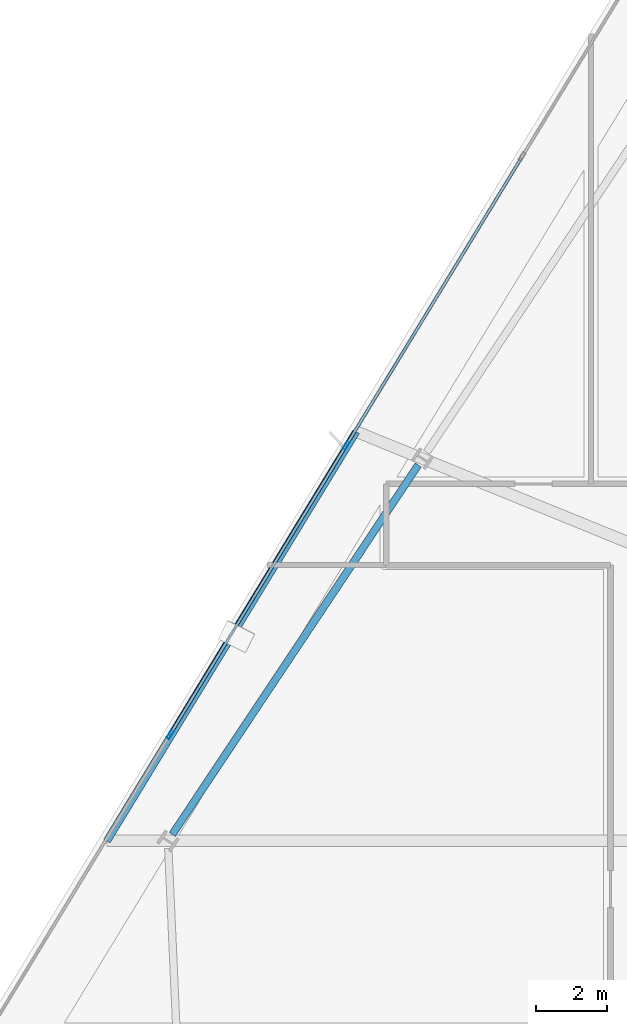
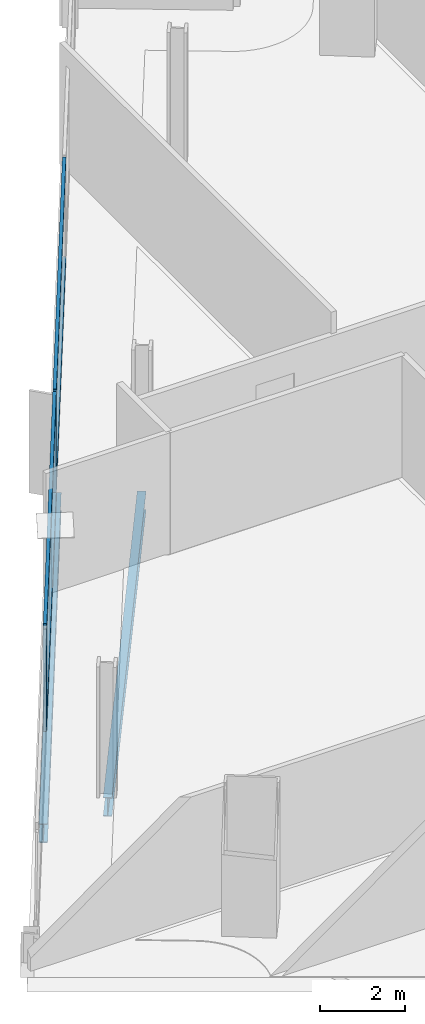
# One storey, part 13 of 28: 6 members, 2 beams, 1 element without a shape of its own.
"""IFC4 building model written with IfcOpenShell, lengths in metres."""

from ifc_helpers import new_model, si_unit, direction, frame, origin, origin_2d, place, context, subcontext, project, spatial, hollow_rectangle, i_section, extrude, material, material_profile, profile_set, type_object, element, aggregate, save


model = new_model("IFC4")

# Units and contexts
model_context = context("Model", 3, precision=1e-05, world=origin(), true_north=direction((0.0, 1.0)))
body_context = subcontext(model_context, "Body", "Model", "MODEL_VIEW")
ifc_project = project(units=[si_unit("LENGTHUNIT", "METRE"), si_unit("AREAUNIT", "SQUARE_METRE"), si_unit("VOLUMEUNIT", "CUBIC_METRE"), si_unit("PLANEANGLEUNIT", "RADIAN"), si_unit("MASSUNIT", "GRAM", prefix="KILO")], contexts=[model_context])

# Site, building, storey
site_placement = place(None, origin())
site = spatial("IfcSite", under=ifc_project, at=site_placement, CompositionType="ELEMENT")
building_placement = place(site_placement, origin())
building = spatial("IfcBuilding", under=site, at=building_placement, Name="Haldenkirk Collegiate Tower", CompositionType="ELEMENT")
storey_placement = place(building_placement, frame((0.0, 0.0, 224.699951171875)))
storey = spatial("IfcBuildingStorey", under=building, at=storey_placement, Name="L56", CompositionType="ELEMENT", Elevation=224.699951171875)

# Beams
ifc_material_1 = material(Name="Steel ASTM A992 Grade 50", Category="steel")
ifc_material_profile_1 = material_profile(ifc_material_1, i_section(OverallWidth=0.2099609375, OverallDepth=0.537109375, WebThickness=0.010986328125, FlangeThickness=0.017333984375, at=origin_2d()), Name="W21X68")
ifc_profile_set_1 = profile_set([ifc_material_profile_1], Name="Steel ASTM A992 Grade 50")
beam_type = type_object("IfcBeamType", Name="BM-SPANDREL-W21X68", PredefinedType="SPANDREL", material=ifc_profile_set_1)
beam_1_placement = place(storey_placement, frame((19.106201171875, 36.98486328125, -0.54833984375), z_axis=(-0.554117024454, -0.832438780458, 0.0), x_axis=(0.832438780458, -0.554117024454, 0.0)))
element("IfcBeam", 1, at=beam_1_placement, inside=storey, type_object=beam_type, Name="L56 perimeter spandrel beam 11", PredefinedType="SPANDREL", context=body_context, shape_type="SweptSolid", body=[
    extrude(i_section(OverallWidth=0.2099609375, OverallDepth=0.537109375, WebThickness=0.010986328125, FlangeThickness=0.017333984375, at=origin_2d()), origin(), (0.0, 0.0, 1.0), 12.562255859375),
])
beam_2_placement = place(storey_placement, frame((17.353515625, 37.92822265625, -0.54833984375), z_axis=(-0.520261039295, -0.854007289777, 0.0), x_axis=(0.854007289777, -0.520261039295, 0.0)))
element("IfcBeam", 2, at=beam_2_placement, inside=storey, type_object=beam_type, Name="L56 outer facade edge beam 3", PredefinedType="SPANDREL", context=body_context, shape_type="SweptSolid", body=[
    extrude(i_section(OverallWidth=0.2099609375, OverallDepth=0.537109375, WebThickness=0.010986328125, FlangeThickness=0.017333984375, at=origin_2d()), origin(), (0.0, 0.0, 1.0), 13.560791015625),
])

# Curtain wall, members
ifc_material_2 = material(Name="Anodised architectural bronze aluminium", Category="aluminium")
curtain_wall_type = type_object("IfcCurtainWallType", Name="CW-SYS1B-CONVEX-HI", PredefinedType="USERDEFINED", material=ifc_material_2)
curtain_wall_placement = place(storey_placement, origin())
curtain_wall = element("IfcCurtainWall", 3, at=curtain_wall_placement, inside=storey, type_object=curtain_wall_type, Name="L56 Upper tower high-wind convex bronze unitised curtain wall", ObjectType="UNITISED CURTAIN WALL", PredefinedType="USERDEFINED")
ifc_material_profile_2 = material_profile(ifc_material_2, hollow_rectangle(XDim=0.0849609375, YDim=0.25, WallThickness=0.0048828125, at=origin_2d()), Name="CW-MUL-1B")
ifc_profile_set_2 = profile_set([ifc_material_profile_2], Name="Anodised architectural bronze aluminium")
member_type_1 = type_object("IfcMemberType", Name="CW-MUL-1B", PredefinedType="MULLION", material=ifc_profile_set_2)
member_1_placement = place(storey_placement, frame((12.085205078125, 29.357177734375, 0.0), z_axis=(0.0, 0.0, 1.0), x_axis=(-0.854004384454, 0.520265808345, 0.0)))
member_1 = element("IfcMember", 4, at=member_1_placement, type_object=member_type_1, Name="CW-1B mullion 2", PredefinedType="MULLION", context=body_context, shape_type="SweptSolid", body=[
    extrude(hollow_rectangle(XDim=0.0849609375, YDim=0.25, WallThickness=0.0048828125, at=origin_2d()), origin(), (0.0, 0.0, 1.0), 2.927978515625),
])
member_2_placement = place(storey_placement, frame((17.066650390625, 37.5341796875, 0.0), z_axis=(0.0, 0.0, 1.0), x_axis=(-0.854004384454, 0.520265808345, 0.0)))
member_2 = element("IfcMember", 5, at=member_2_placement, type_object=member_type_1, Name="CW-1B mullion 3", PredefinedType="MULLION", context=body_context, shape_type="SweptSolid", body=[
    extrude(hollow_rectangle(XDim=0.0849609375, YDim=0.25, WallThickness=0.0048828125, at=origin_2d()), origin(), (0.0, 0.0, 1.0), 2.927978515625),
])
ifc_material_profile_3 = material_profile(ifc_material_2, hollow_rectangle(XDim=0.0849609375, YDim=0.199951171875, WallThickness=0.0048828125, at=origin_2d()), Name="CW-TRN-1B")
ifc_profile_set_3 = profile_set([ifc_material_profile_3], Name="Anodised architectural bronze aluminium")
member_type_2 = type_object("IfcMemberType", Name="CW-TRN-1B", PredefinedType="USERDEFINED", material=ifc_profile_set_3)
member_3_placement = place(storey_placement, frame((12.107177734375, 29.3935546875, 0.04248046875), z_axis=(0.520279888791, 0.853995806383, 0.0), x_axis=(-0.853995806383, 0.520279888791, 0.0)))
member_3 = element("IfcMember", 6, at=member_3_placement, type_object=member_type_2, Name="CW-1B transom 2.1", ObjectType="TRANSOM", PredefinedType="USERDEFINED", context=body_context, shape_type="SweptSolid", body=[
    extrude(hollow_rectangle(XDim=0.0849609375, YDim=0.199951171875, WallThickness=0.0048828125, at=origin_2d()), origin(), (0.0, 0.0, 1.0), 9.489990234375),
])
member_4_placement = place(storey_placement, frame((12.107177734375, 29.3935546875, 2.885498046875), z_axis=(0.520279888791, 0.853995806383, 0.0), x_axis=(-0.853995806383, 0.520279888791, 0.0)))
member_4 = element("IfcMember", 7, at=member_4_placement, type_object=member_type_2, Name="CW-1B transom 2.2", ObjectType="TRANSOM", PredefinedType="USERDEFINED", context=body_context, shape_type="SweptSolid", body=[
    extrude(hollow_rectangle(XDim=0.0849609375, YDim=0.199951171875, WallThickness=0.0048828125, at=origin_2d()), origin(), (0.0, 0.0, 1.0), 9.489990234375),
])
member_5_placement = place(storey_placement, frame((17.0888671875, 37.570556640625, 0.04248046875), z_axis=(0.520261126313, 0.854007236765, 0.0), x_axis=(-0.854007236765, 0.520261126313, 0.0)))
member_5 = element("IfcMember", 8, at=member_5_placement, type_object=member_type_2, Name="CW-1B transom 3.1", ObjectType="TRANSOM", PredefinedType="USERDEFINED", context=body_context, shape_type="SweptSolid", body=[
    extrude(hollow_rectangle(XDim=0.0849609375, YDim=0.199951171875, WallThickness=0.0048828125, at=origin_2d()), origin(), (0.0, 0.0, 1.0), 9.489990234375),
])
member_6_placement = place(storey_placement, frame((17.0888671875, 37.570556640625, 2.885498046875), z_axis=(0.520261126313, 0.854007236765, 0.0), x_axis=(-0.854007236765, 0.520261126313, 0.0)))
member_6 = element("IfcMember", 9, at=member_6_placement, type_object=member_type_2, Name="CW-1B transom 3.2", ObjectType="TRANSOM", PredefinedType="USERDEFINED", context=body_context, shape_type="SweptSolid", body=[
    extrude(hollow_rectangle(XDim=0.0849609375, YDim=0.199951171875, WallThickness=0.0048828125, at=origin_2d()), origin(), (0.0, 0.0, 1.0), 9.489990234375),
])
aggregate(curtain_wall, [member_1, member_2, member_3, member_4, member_5, member_6])

save(model, "model.ifc")
